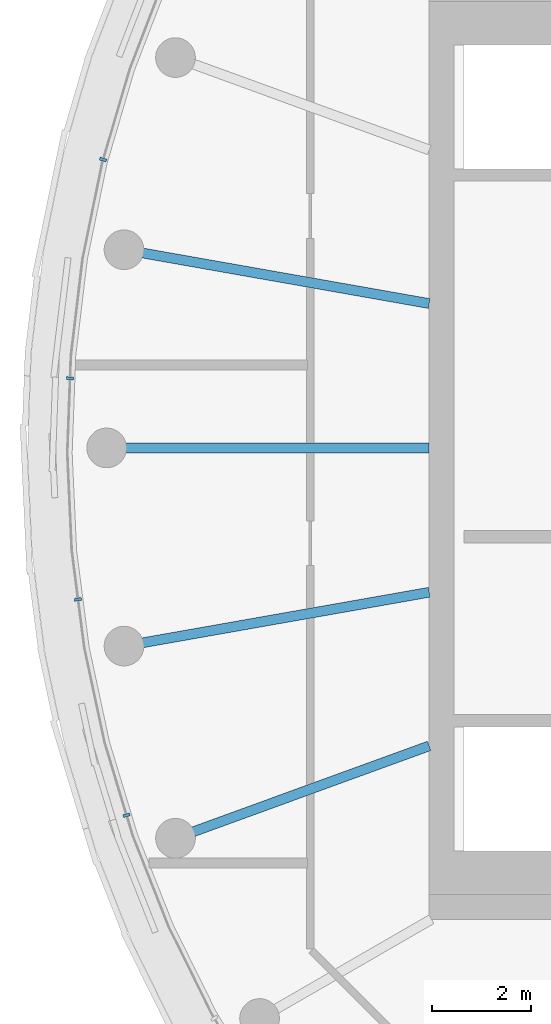
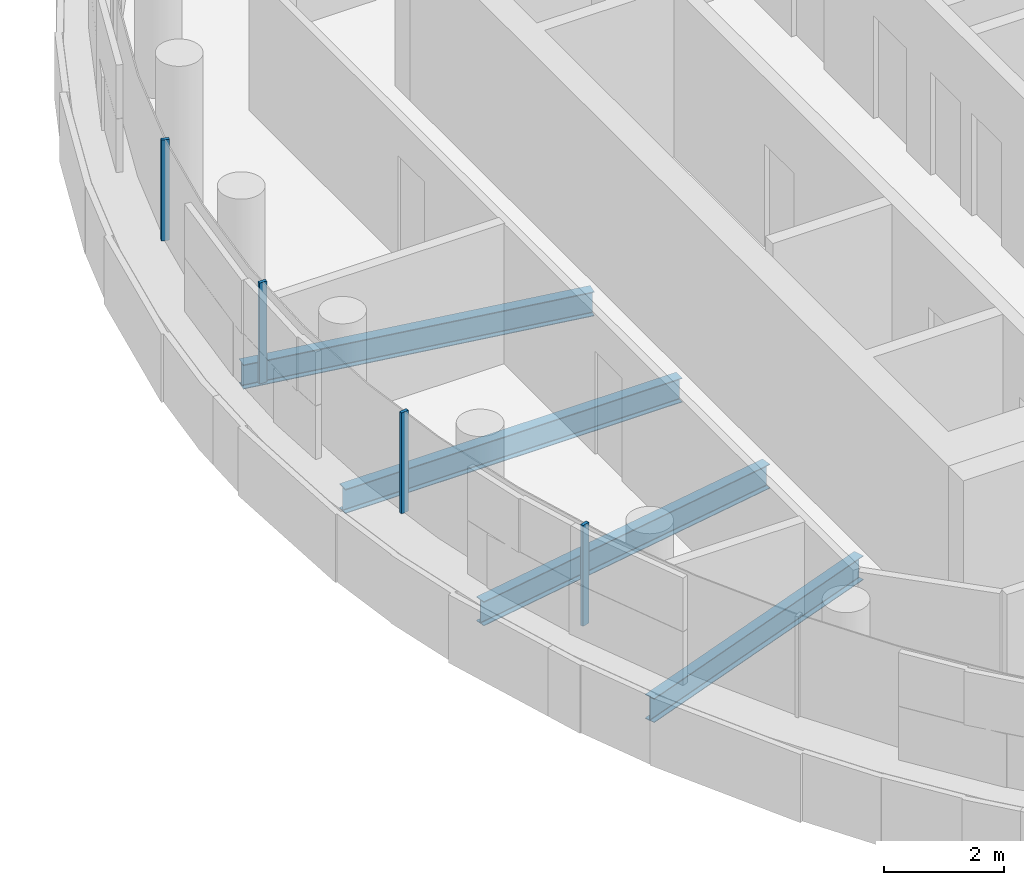
# One storey, part 4 of 21: 4 beams, 4 members, 1 element without a shape of its own.
"""IFC4 building model written with IfcOpenShell, lengths in metres."""

from ifc_helpers import new_model, si_unit, direction, frame, origin, origin_2d, place, context, subcontext, project, spatial, rectangle, i_section, extrude, material, layer, layer_set, material_profile, profile_set, type_object, element, aggregate, save


model = new_model("IFC4")

# Units and contexts
model_context = context("Model", 3, precision=1e-05, world=origin(), true_north=direction((0.0, 1.0)))
body_context = subcontext(model_context, "Body", "Model", "MODEL_VIEW")
ifc_project = project(units=[si_unit("LENGTHUNIT", "METRE"), si_unit("AREAUNIT", "SQUARE_METRE"), si_unit("VOLUMEUNIT", "CUBIC_METRE"), si_unit("PLANEANGLEUNIT", "RADIAN"), si_unit("MASSUNIT", "GRAM", prefix="KILO")], contexts=[model_context])

# Site, building, storey
site_placement = place(None, origin())
site = spatial("IfcSite", under=ifc_project, at=site_placement, CompositionType="ELEMENT")
building_placement = place(site_placement, origin())
building = spatial("IfcBuilding", under=site, at=building_placement, Name="Tamarind Cross Interchange Tower", CompositionType="ELEMENT")
storey_placement = place(building_placement, frame((0.0, 0.0, 271.199951171875)))
storey = spatial("IfcBuildingStorey", under=building, at=storey_placement, Name="L69", CompositionType="ELEMENT", Elevation=271.199951171875)

# Beams
ifc_material_1 = material(Name="Steel Q355B", Category="steel")
ifc_material_profile_1 = material_profile(ifc_material_1, i_section(OverallWidth=0.198974609375, OverallDepth=0.49609375, WebThickness=0.009033203125, FlangeThickness=0.013916015625, FilletRadius=0.012939453125, at=origin_2d()), Name="HN 496x199x9x14")
ifc_profile_set_1 = profile_set([ifc_material_profile_1], Name="Steel Q355B")
beam_type = type_object("IfcBeamType", Name="Composite beam HN 496x199x9x14 Q355B", PredefinedType="BEAM", material=ifc_profile_set_1)
beam_1_placement = place(storey_placement, frame((-22.650634765625, 3.993896484375, -0.387939453125), z_axis=(0.984809127561, -0.173640382036, 0.0), x_axis=(0.173640382036, 0.984809127561, 0.0)))
element("IfcBeam", 1, at=beam_1_placement, inside=storey, type_object=beam_type, Name="Beam HH17", PredefinedType="BEAM", context=body_context, shape_type="SweptSolid", body=[
    extrude(i_section(OverallWidth=0.198974609375, OverallDepth=0.49609375, WebThickness=0.009033203125, FlangeThickness=0.013916015625, FilletRadius=0.012939453125, at=origin_2d()), origin(), (0.0, 0.0, 1.0), 6.24560546875),
])
beam_2_placement = place(storey_placement, frame((-23.0, 0.0, -0.387939453125), z_axis=(1.0, 0.0, 0.0), x_axis=(0.0, 1.0, 0.0)))
element("IfcBeam", 2, at=beam_2_placement, inside=storey, type_object=beam_type, Name="Beam HH18", PredefinedType="BEAM", context=body_context, shape_type="SweptSolid", body=[
    extrude(i_section(OverallWidth=0.198974609375, OverallDepth=0.49609375, WebThickness=0.009033203125, FlangeThickness=0.013916015625, FilletRadius=0.012939453125, at=origin_2d()), origin(), (0.0, 0.0, 1.0), 6.5),
])
beam_3_placement = place(storey_placement, frame((-22.650634765625, -3.993896484375, -0.387939453125), z_axis=(0.984809127561, 0.173640382036, 0.0), x_axis=(-0.173640382036, 0.984809127561, 0.0)))
element("IfcBeam", 3, at=beam_3_placement, inside=storey, type_object=beam_type, Name="Beam HH19", PredefinedType="BEAM", context=body_context, shape_type="SweptSolid", body=[
    extrude(i_section(OverallWidth=0.198974609375, OverallDepth=0.49609375, WebThickness=0.009033203125, FlangeThickness=0.013916015625, FilletRadius=0.012939453125, at=origin_2d()), origin(), (0.0, 0.0, 1.0), 6.24560546875),
])
beam_4_placement = place(storey_placement, frame((-21.613037109375, -7.866455078125, -0.387939453125), z_axis=(0.939701685589, 0.341995236956, 0.0), x_axis=(-0.341995236956, 0.939701685589, 0.0)))
element("IfcBeam", 4, at=beam_4_placement, inside=storey, type_object=beam_type, Name="Beam HH20", PredefinedType="BEAM", context=body_context, shape_type="SweptSolid", body=[
    extrude(i_section(OverallWidth=0.198974609375, OverallDepth=0.49609375, WebThickness=0.009033203125, FlangeThickness=0.013916015625, FilletRadius=0.012939453125, at=origin_2d()), origin(), (0.0, 0.0, 1.0), 5.441162109375),
])

# Curtain wall, members
ifc_material_2 = material(Name="Aluminium 6063-T6", Category="aluminium")
ifc_layer = layer(ifc_material_2, 0.139892578125)
ifc_layer_set = layer_set([ifc_layer], Name="Aluminium 6063-T6")
curtain_wall_type = type_object("IfcCurtainWallType", Name="Hotel curtain wall, 4.5 m bays", PredefinedType="NOTDEFINED", material=ifc_layer_set)
curtain_wall_placement = place(storey_placement, origin())
curtain_wall = element("IfcCurtainWall", 5, at=curtain_wall_placement, inside=storey, type_object=curtain_wall_type, Name="CWS-L69-01", PredefinedType="NOTDEFINED")
ifc_material_profile_2 = material_profile(ifc_material_2, rectangle(XDim=0.06005859375, YDim=0.139892578125, at=origin_2d()), Name="Mullion CW2")
ifc_profile_set_2 = profile_set([ifc_material_profile_2], Name="Aluminium 6063-T6")
member_type = type_object("IfcMemberType", Name="Mullion CW2", PredefinedType="MULLION", material=ifc_profile_set_2)
member_1_placement = place(storey_placement, frame((-23.072265625, 5.811767578125, 1.400146484375), z_axis=(0.0, 0.0, 1.0), x_axis=(-0.281208920763, -0.95964657186, 0.0)))
member_1 = element("IfcMember", 6, at=member_1_placement, type_object=member_type, Name="CWM-L69-01-04", PredefinedType="MULLION", context=body_context, shape_type="SweptSolid", body=[
    extrude(rectangle(XDim=0.06005859375, YDim=0.139892578125, at=origin_2d()), origin(), (0.0, 0.0, 1.0), 2.059814453125),
])
member_2_placement = place(storey_placement, frame((-23.73974609375, 1.402587890625, 1.400146484375), z_axis=(0.0, 0.0, 1.0), x_axis=(-0.037024696392, -0.999314350871, 0.0)))
member_2 = element("IfcMember", 7, at=member_2_placement, type_object=member_type, Name="CWM-L69-01-05", PredefinedType="MULLION", context=body_context, shape_type="SweptSolid", body=[
    extrude(rectangle(XDim=0.06005859375, YDim=0.139892578125, at=origin_2d()), origin(), (0.0, 0.0, 1.0), 2.059814453125),
])
member_3_placement = place(storey_placement, frame((-23.57861328125, -3.05322265625, 1.400146484375), z_axis=(0.0, 0.0, 1.0), x_axis=(0.127962008342, -0.991779070368, 0.0)))
member_3 = element("IfcMember", 8, at=member_3_placement, type_object=member_type, Name="CWM-L69-01-06", PredefinedType="MULLION", context=body_context, shape_type="SweptSolid", body=[
    extrude(rectangle(XDim=0.06005859375, YDim=0.139892578125, at=origin_2d()), origin(), (0.0, 0.0, 1.0), 2.059814453125),
])
member_4_placement = place(storey_placement, frame((-22.599853515625, -7.4033203125, 1.400146484375), z_axis=(0.0, 0.0, 1.0), x_axis=(0.289458243079, -0.957190642199, 0.0)))
member_4 = element("IfcMember", 9, at=member_4_placement, type_object=member_type, Name="CWM-L69-01-07", PredefinedType="MULLION", context=body_context, shape_type="SweptSolid", body=[
    extrude(rectangle(XDim=0.06005859375, YDim=0.139892578125, at=origin_2d()), origin(), (0.0, 0.0, 1.0), 2.059814453125),
])
aggregate(curtain_wall, [member_1, member_2, member_3, member_4])

save(model, "model.ifc")
